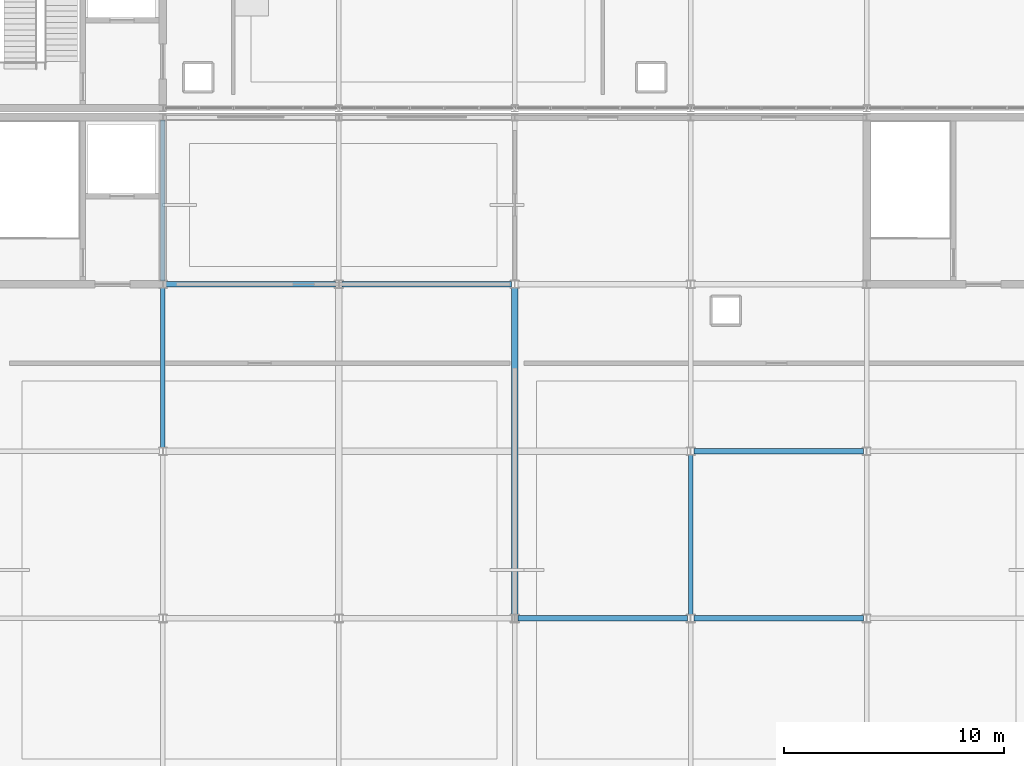
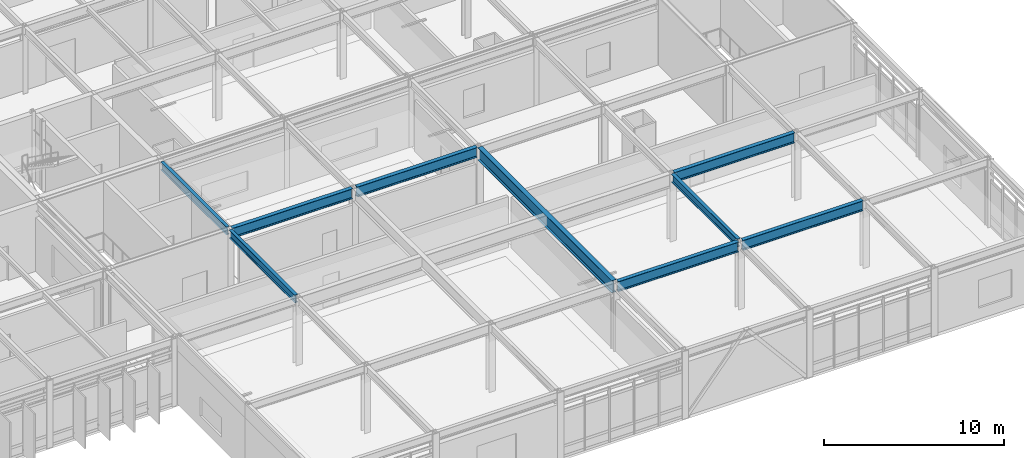
# One storey, part 60 of 104: 9 beams.
"""IFC4 building model written with IfcOpenShell, lengths in metres."""

from ifc_helpers import new_model, si_unit, direction, frame, origin, origin_2d, place, context, subcontext, project, spatial, i_section, extrude, material, material_profile, profile_set, type_object, element, save


model = new_model("IFC4")

# Units and contexts
model_context = context("Model", 3, precision=1e-05, world=origin(), true_north=direction((0.0, 1.0)))
body_context = subcontext(model_context, "Body", "Model", "MODEL_VIEW")
ifc_project = project(units=[si_unit("LENGTHUNIT", "METRE"), si_unit("AREAUNIT", "SQUARE_METRE"), si_unit("VOLUMEUNIT", "CUBIC_METRE"), si_unit("PLANEANGLEUNIT", "RADIAN"), si_unit("MASSUNIT", "GRAM", prefix="KILO")], contexts=[model_context])

# Site, building, storey
site_placement = place(None, origin())
site = spatial("IfcSite", under=ifc_project, at=site_placement, CompositionType="ELEMENT")
building_placement = place(site_placement, origin())
building = spatial("IfcBuilding", under=site, at=building_placement, Name="Zulena Civic Courthouse", CompositionType="ELEMENT")
storey_placement = place(building_placement, frame((0.0, 0.0, 15.60009765625)))
storey = spatial("IfcBuildingStorey", under=building, at=storey_placement, Name="L03", CompositionType="ELEMENT", Elevation=15.60009765625)

# Beams
ifc_material = material(Name="Steel ASTM A992 Grade 50", Category="steel")
ifc_material_profile_1 = material_profile(ifc_material, i_section(OverallWidth=0.2099609375, OverallDepth=0.537109375, WebThickness=0.010986328125, FlangeThickness=0.017333984375, FilletRadius=0.0126953125, at=origin_2d()), Name="W21X68")
ifc_profile_set_1 = profile_set([ifc_material_profile_1], Name="Steel ASTM A992 Grade 50")
beam_type_1 = type_object("IfcBeamType", Name="Girder_W21X68", PredefinedType="BEAM", material=ifc_profile_set_1)
beam_1_placement = place(storey_placement, frame((132.0, 15.344970703125, 4.326416015625), z_axis=(0.0, 1.0, 0.0), x_axis=(-1.0, 0.0, 0.0)))
element("IfcBeam", 1, at=beam_1_placement, inside=storey, type_object=beam_type_1, Name="beam:Y:V1:L03:132.0:15.2_22.8", PredefinedType="BEAM", context=body_context, shape_type="SweptSolid", body=[
    extrude(i_section(OverallWidth=0.2099609375, OverallDepth=0.537109375, WebThickness=0.010986328125, FlangeThickness=0.017333984375, FilletRadius=0.0126953125, at=origin_2d()), origin(), (0.0, 0.0, 1.0), 7.31005859375),
])
beam_2_placement = place(storey_placement, frame((156.0, 7.7451171875, 4.326416015625), z_axis=(0.0, 1.0, 0.0), x_axis=(-1.0, 0.0, 0.0)))
element("IfcBeam", 2, at=beam_2_placement, inside=storey, type_object=beam_type_1, Name="beam:Y:V1:L03:156.0:7.6_15.2", PredefinedType="BEAM", context=body_context, shape_type="SweptSolid", body=[
    extrude(i_section(OverallWidth=0.2099609375, OverallDepth=0.537109375, WebThickness=0.010986328125, FlangeThickness=0.017333984375, FilletRadius=0.0126953125, at=origin_2d()), origin(), (0.0, 0.0, 1.0), 7.309814453125),
])
ifc_material_profile_2 = material_profile(ifc_material, i_section(OverallWidth=0.25390625, OverallDepth=0.68798828125, WebThickness=0.01318359375, FlangeThickness=0.02099609375, FilletRadius=0.0166015625, at=origin_2d()), Name="W27X102")
ifc_profile_set_2 = profile_set([ifc_material_profile_2], Name="Steel ASTM A992 Grade 50")
beam_type_2 = type_object("IfcBeamType", Name="Girder_W27X102", PredefinedType="BEAM", material=ifc_profile_set_2)
for number, where, z_axis, x_axis, name in (
    (3, (148.14501953125, 7.60009765625, 4.2509765625), (1.0, 0.0, 0.0), (0.0, 1.0, 0.0), "beam:X:V1:L03:7.6:148.0_156.0"),
    (4, (156.14501953125, 7.60009765625, 4.2509765625), (1.0, 0.0, 0.0), (0.0, 1.0, 0.0), "beam:X:V1:L03:7.6:156.0_164.0"),
    (5, (156.14501953125, 15.199951171875, 4.2509765625), (1.0, 0.0, 0.0), (0.0, 1.0, 0.0), "beam:X:V1:L03:15.2:156.0_164.0"),
    (6, (132.14501953125, 22.800048828125, 4.2509765625), (1.0, 0.0, 0.0), (0.0, 1.0, 0.0), "beam:X:V1:L03:22.8:132.0_140.0"),
    (7, (140.14501953125, 22.800048828125, 4.2509765625), (1.0, 0.0, 0.0), (0.0, 1.0, 0.0), "beam:X:V1:L03:22.8:140.0_148.0"),
):
    element("IfcBeam", number, at=place(storey_placement, frame(where, z_axis=z_axis, x_axis=x_axis)), inside=storey, type_object=beam_type_2, Name=name, PredefinedType="BEAM", context=body_context, shape_type="SweptSolid", body=[
        extrude(i_section(OverallWidth=0.25390625, OverallDepth=0.68798828125, WebThickness=0.01318359375, FlangeThickness=0.02099609375, FilletRadius=0.0166015625, at=origin_2d()), origin(), (0.0, 0.0, 1.0), 7.7099609375),
    ])
ifc_material_profile_3 = material_profile(ifc_material, i_section(OverallWidth=0.2919921875, OverallDepth=0.841064453125, WebThickness=0.0146484375, FlangeThickness=0.021728515625, FilletRadius=0.017822265625, at=origin_2d()), Name="W33X130")
ifc_profile_set_3 = profile_set([ifc_material_profile_3], Name="Steel ASTM A992 Grade 50")
beam_type_3 = type_object("IfcBeamType", Name="Girder_W33X130", PredefinedType="BEAM", material=ifc_profile_set_3)
beam_3_placement = place(storey_placement, frame((148.0, 7.7451171875, 4.17431640625), z_axis=(0.0, 1.0, 0.0), x_axis=(-1.0, 0.0, 0.0)))
element("IfcBeam", 8, at=beam_3_placement, inside=storey, type_object=beam_type_3, Name="beam:Y:V1:L03:148.0:7.6_22.8", PredefinedType="BEAM", context=body_context, shape_type="SweptSolid", body=[
    extrude(i_section(OverallWidth=0.2919921875, OverallDepth=0.841064453125, WebThickness=0.0146484375, FlangeThickness=0.021728515625, FilletRadius=0.017822265625, at=origin_2d()), origin(), (0.0, 0.0, 1.0), 14.909912109375),
])
ifc_material_profile_4 = material_profile(ifc_material, i_section(OverallWidth=0.2099609375, OverallDepth=0.537109375, WebThickness=0.010986328125, FlangeThickness=0.017333984375, FilletRadius=0.0126953125, at=origin_2d()), Name="W21X68")
ifc_profile_set_4 = profile_set([ifc_material_profile_4], Name="Steel ASTM A992 Grade 50")
beam_type_4 = type_object("IfcBeamType", Name="Spandrel_W21X68", PredefinedType="SPANDREL", material=ifc_profile_set_4)
beam_4_placement = place(storey_placement, frame((132.0, 22.945068359375, 4.326416015625), z_axis=(0.0, 1.0, 0.0), x_axis=(-1.0, 0.0, 0.0)))
element("IfcBeam", 9, at=beam_4_placement, inside=storey, type_object=beam_type_4, Name="beam:Y:V1:L03:132.0:22.8_30.4", PredefinedType="SPANDREL", context=body_context, shape_type="SweptSolid", body=[
    extrude(i_section(OverallWidth=0.2099609375, OverallDepth=0.537109375, WebThickness=0.010986328125, FlangeThickness=0.017333984375, FilletRadius=0.0126953125, at=origin_2d()), origin(), (0.0, 0.0, 1.0), 7.309814453125),
])

save(model, "model.ifc")
